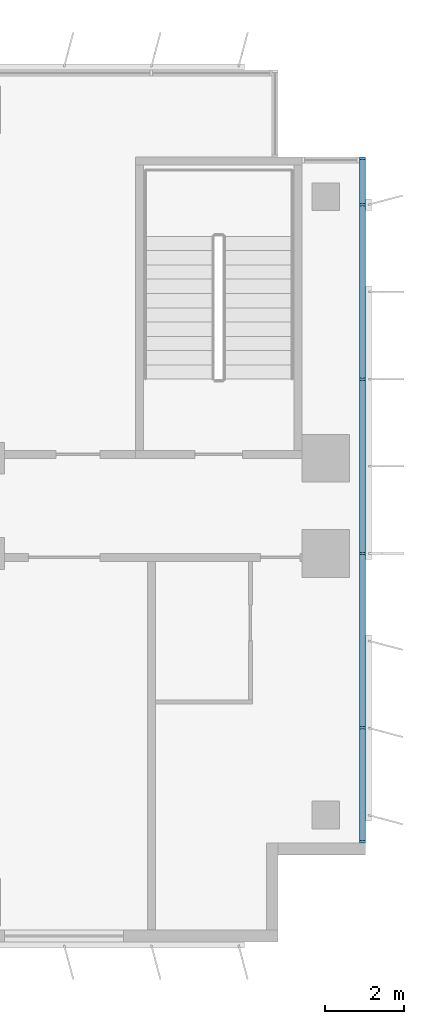
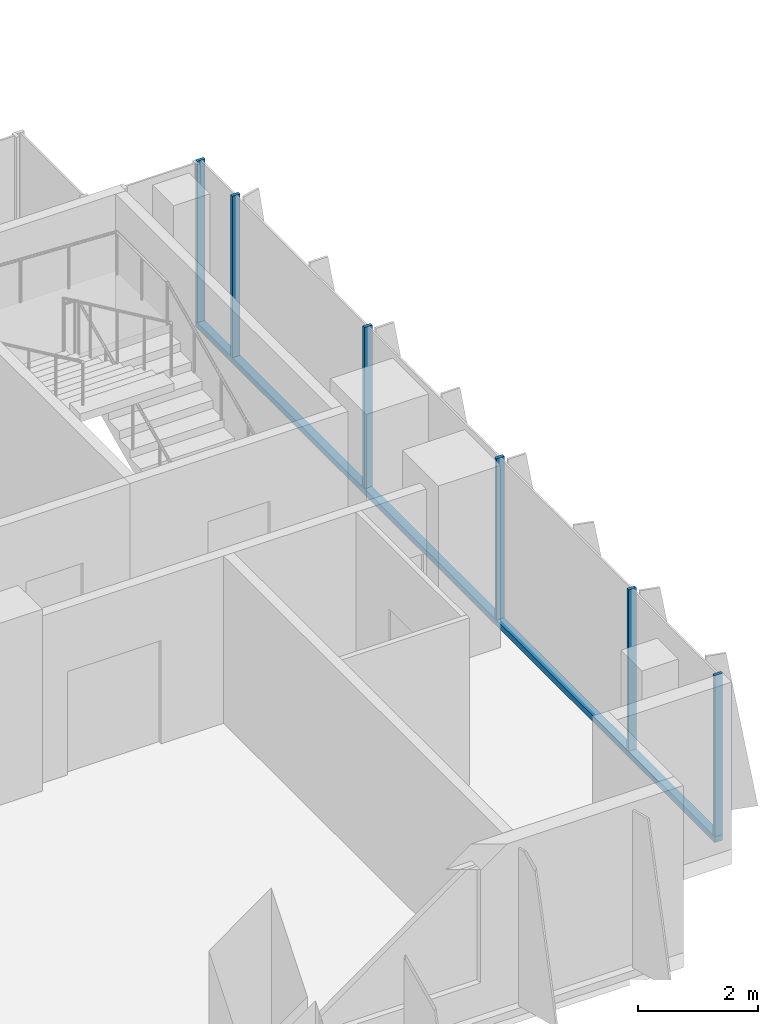
# One storey, part 8 of 22: 7 members, 1 element without a shape of its own.
"""IFC4 building model written with IfcOpenShell, lengths in metres."""

from ifc_helpers import new_model, si_unit, direction, frame, origin, origin_2d, place, context, subcontext, project, spatial, rectangle, extrude, source, transform, mapped, material, material_profile, profile_set, type_object, element, aggregate, save


model = new_model("IFC4")

# Units and contexts
model_context = context("Model", 3, precision=1e-05, world=origin(), true_north=direction((0.0, 1.0)))
body_context = subcontext(model_context, "Body", "Model", "MODEL_VIEW")
ifc_project = project(units=[si_unit("LENGTHUNIT", "METRE"), si_unit("AREAUNIT", "SQUARE_METRE"), si_unit("VOLUMEUNIT", "CUBIC_METRE"), si_unit("PLANEANGLEUNIT", "RADIAN"), si_unit("MASSUNIT", "GRAM", prefix="KILO")], contexts=[model_context])

# Site, building, storey
site_placement = place(None, origin())
site = spatial("IfcSite", under=ifc_project, at=site_placement, CompositionType="ELEMENT")
building_placement = place(site_placement, origin())
building = spatial("IfcBuilding", under=site, at=building_placement, Name="Kemantara Hotel Tower", CompositionType="ELEMENT")
storey_placement = place(building_placement, frame((0.0, 0.0, 90.800048828125)))
storey = spatial("IfcBuildingStorey", under=building, at=storey_placement, Name="L21", CompositionType="ELEMENT", Elevation=90.800048828125)

# Curtain wall, members
ifc_material_1 = material(Name="Low-E tinted double insulated glass 36 mm", Category="glass")
curtain_wall_type = type_object("IfcCurtainWallType", Name="TOWER CURTAIN WALL, FRONT FACES", PredefinedType="USERDEFINED", material=ifc_material_1)
curtain_wall_placement = place(storey_placement, origin())
curtain_wall = element("IfcCurtainWall", 1, at=curtain_wall_placement, inside=storey, type_object=curtain_wall_type, Name="CW4 L21 T2-R10-1", ObjectType="TOWER CURTAIN WALL, FRONT FACES", PredefinedType="USERDEFINED")
ifc_material_2 = material(Name="Aluminium 6063-T6 bronze anodised", Category="aluminium")
ifc_material_profile_1 = material_profile(ifc_material_2, rectangle(XDim=0.14990234375, YDim=0.1201171875, at=origin_2d()), Name="TOWER CURTAIN WALL, FRONT FACES TRANSOM")
ifc_profile_set_1 = profile_set([ifc_material_profile_1], Name="Aluminium 6063-T6 bronze anodised")
member_type_1 = type_object("IfcMemberType", Name="TOWER CURTAIN WALL, FRONT FACES TRANSOM", PredefinedType="USERDEFINED", material=ifc_profile_set_1)
member_1_placement = place(storey_placement, frame((63.52490234375, 2.5, 0.06005859375), z_axis=(0.0, 1.0, 0.0), x_axis=(-1.0, 0.0, 0.0)))
member_1 = element("IfcMember", 2, at=member_1_placement, type_object=member_type_1, Name="CW4 sill transom T2-R10-1", ObjectType="TRANSOM", PredefinedType="USERDEFINED", context=body_context, shape_type="SweptSolid", body=[
    extrude(rectangle(XDim=0.14990234375, YDim=0.1201171875, at=origin_2d()), origin(), (0.0, 0.0, 1.0), 17.300048828125),
])
ifc_material_profile_2 = material_profile(ifc_material_2, rectangle(XDim=0.14990234375, YDim=0.06005859375, at=origin_2d()), Name="TOWER CURTAIN WALL, FRONT FACES MULLION")
ifc_profile_set_2 = profile_set([ifc_material_profile_2], Name="Aluminium 6063-T6 bronze anodised")
member_type_2 = type_object("IfcMemberType", Name="TOWER CURTAIN WALL, FRONT FACES MULLION", PredefinedType="MULLION", material=ifc_profile_set_2)
shared_shape = source(origin(), body_context, "Body", "SweptSolid", [
    extrude(rectangle(XDim=0.14990234375, YDim=0.06005859375, at=origin_2d()), origin(), (0.0, 0.0, 1.0), 3.280029296875),
])
member_2_placement = place(storey_placement, frame((63.52490234375, 2.530029296875, 0.119873046875), z_axis=(0.0, 0.0, 1.0), x_axis=(-1.0, 0.0, 0.0)))
member_2 = element("IfcMember", 3, at=member_2_placement, type_object=member_type_2, Name="CW4 mullion T2-R10-1.1", PredefinedType="MULLION", context=body_context, shape_type="MappedRepresentation", body=[
    mapped(shared_shape, transform((0.0, 0.0, 0.0))),
])
member_3_placement = place(storey_placement, frame((63.52490234375, 5.39990234375, 0.119873046875), z_axis=(0.0, 0.0, 1.0), x_axis=(-1.0, 0.0, 0.0)))
member_3 = element("IfcMember", 4, at=member_3_placement, type_object=member_type_2, Name="CW4 mullion T2-R10-1.2", PredefinedType="MULLION", context=body_context, shape_type="MappedRepresentation", body=[
    mapped(shared_shape, transform((0.0, 0.0, 0.0))),
])
member_4_placement = place(storey_placement, frame((63.52490234375, 9.800048828125, 0.119873046875), z_axis=(0.0, 0.0, 1.0), x_axis=(-1.0, 0.0, 0.0)))
member_4 = element("IfcMember", 5, at=member_4_placement, type_object=member_type_2, Name="CW4 mullion T2-R10-1.3", PredefinedType="MULLION", context=body_context, shape_type="MappedRepresentation", body=[
    mapped(shared_shape, transform((0.0, 0.0, 0.0))),
])
member_5_placement = place(storey_placement, frame((63.52490234375, 14.199951171875, 0.119873046875), z_axis=(0.0, 0.0, 1.0), x_axis=(-1.0, 0.0, 0.0)))
member_5 = element("IfcMember", 6, at=member_5_placement, type_object=member_type_2, Name="CW4 mullion T2-R10-1.4", PredefinedType="MULLION", context=body_context, shape_type="MappedRepresentation", body=[
    mapped(shared_shape, transform((0.0, 0.0, 0.0))),
])
member_6_placement = place(storey_placement, frame((63.52490234375, 18.60009765625, 0.119873046875), z_axis=(0.0, 0.0, 1.0), x_axis=(-1.0, 0.0, 0.0)))
member_6 = element("IfcMember", 7, at=member_6_placement, type_object=member_type_2, Name="CW4 mullion T2-R10-1.5", PredefinedType="MULLION", context=body_context, shape_type="MappedRepresentation", body=[
    mapped(shared_shape, transform((0.0, 0.0, 0.0))),
])
member_7_placement = place(storey_placement, frame((63.52490234375, 19.77001953125, 0.119873046875), z_axis=(0.0, 0.0, 1.0), x_axis=(-1.0, 0.0, 0.0)))
member_7 = element("IfcMember", 8, at=member_7_placement, type_object=member_type_2, Name="CW4 mullion T2-R10-1.6", PredefinedType="MULLION", context=body_context, shape_type="MappedRepresentation", body=[
    mapped(shared_shape, transform((0.0, 0.0, 0.0))),
])
aggregate(curtain_wall, [member_1, member_2, member_3, member_4, member_5, member_6, member_7])

save(model, "model.ifc")
